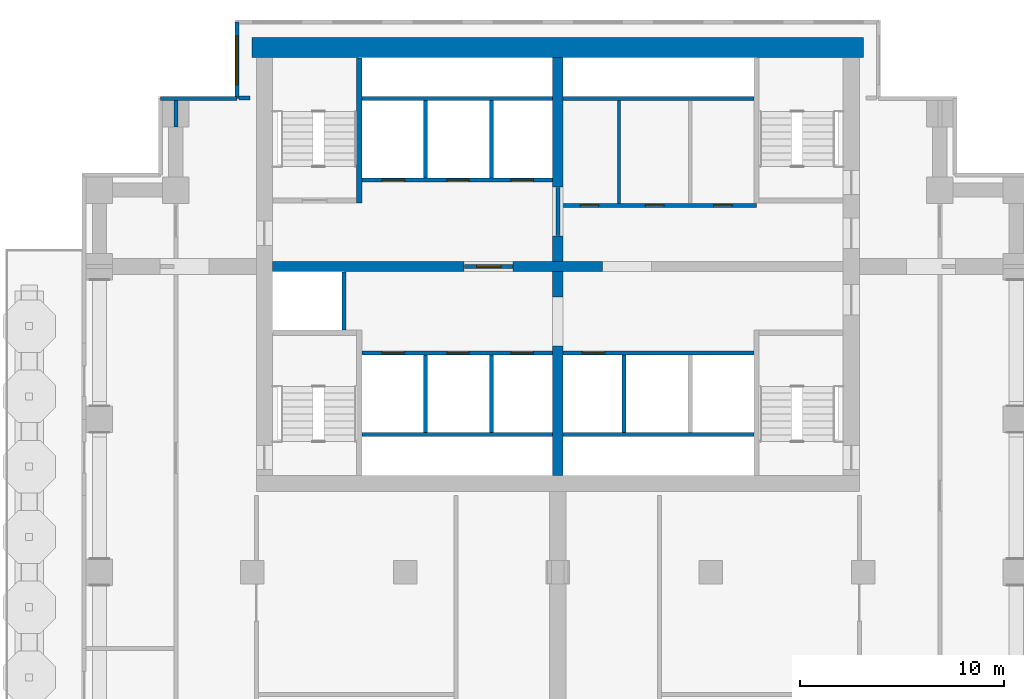
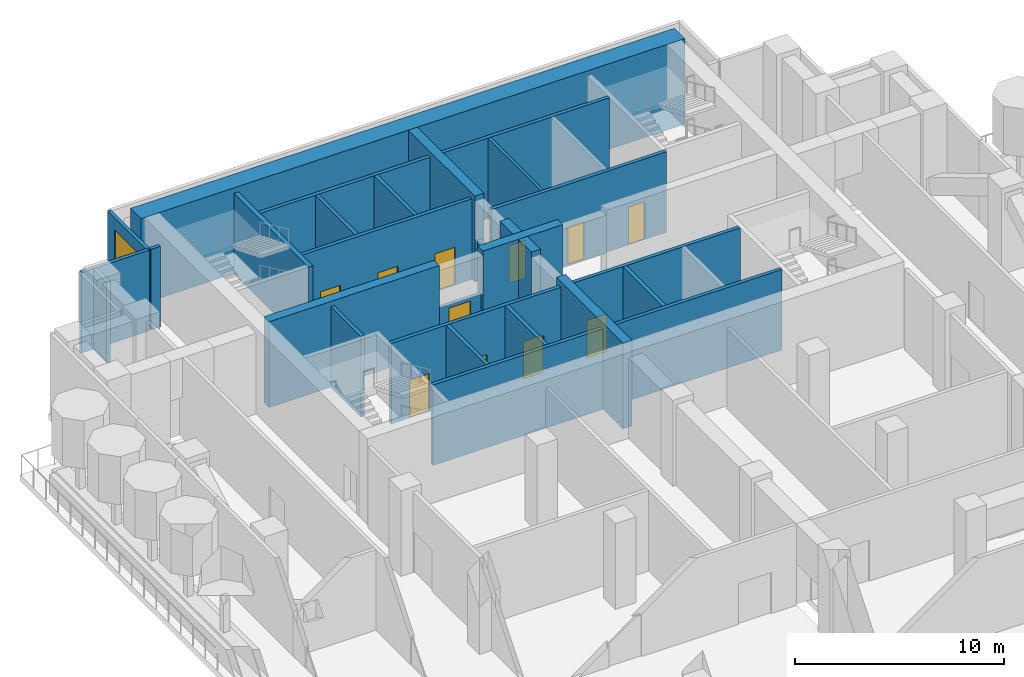
# One storey, part 4 of 9: 29 walls, 11 doors, 1 window, 12 openings.
"""IFC4 building model written with IfcOpenShell, lengths in metres."""

from ifc_helpers import new_model, si_unit, direction, frame, frame_2d, origin, place, context, subcontext, project, spatial, rectangle, extrude, material, layer, layer_set, type_object, element, fill, save


model = new_model("IFC4")

# Units and contexts
model_context = context("Model", 3, precision=1e-05, world=origin(), true_north=direction((0.0, 1.0)))
body_context = subcontext(model_context, "Body", "Model", "MODEL_VIEW")
ifc_project = project(units=[si_unit("LENGTHUNIT", "METRE"), si_unit("AREAUNIT", "SQUARE_METRE"), si_unit("VOLUMEUNIT", "CUBIC_METRE"), si_unit("PLANEANGLEUNIT", "RADIAN"), si_unit("MASSUNIT", "GRAM", prefix="KILO")], contexts=[model_context])

# Site, building, storey
site_placement = place(None, origin())
site = spatial("IfcSite", under=ifc_project, at=site_placement, CompositionType="ELEMENT")
building_placement = place(site_placement, origin())
building = spatial("IfcBuilding", under=site, at=building_placement, Name="Pilkhan Gate Tower", CompositionType="ELEMENT")
storey_placement = place(building_placement, frame((0.0, 0.0, 102.199951171875)))
storey = spatial("IfcBuildingStorey", under=building, at=storey_placement, Name="L25", CompositionType="ELEMENT", Elevation=102.199951171875)

# Walls
ifc_material_1 = material(Name="Concrete C60/75", Category="concrete")
ifc_layer_1 = layer(ifc_material_1, 1.0)
ifc_layer_set_1 = layer_set([ifc_layer_1], Name="Core wall CW1000 C60/75")
wall_type_1 = type_object("IfcWallType", Name="Core wall CW1000 C60/75", PredefinedType="SHEAR", material=ifc_layer_set_1)
wall_1_placement = place(storey_placement, frame((90.0, 93.25, 0.0), z_axis=(0.0, 0.0, 1.0), x_axis=(-1.0, 0.0, 0.0)))
element("IfcWall", 1, at=wall_1_placement, inside=storey, type_object=wall_type_1, Name="Core wall N L25", PredefinedType="SHEAR", context=body_context, shape_type="SweptSolid", body=[
    extrude(rectangle(XDim=30.0, YDim=1.0, at=frame_2d((15.0, 0.0))), origin(), (0.0, 0.0, 1.0), 5.0),
])
ifc_material_2 = material(Name="Dense blockwork", Category="masonry")
ifc_layer_2 = layer(ifc_material_2, 0.199951171875)
ifc_layer_set_2 = layer_set([ifc_layer_2], Name="Corridor wall FW200")
wall_type_2 = type_object("IfcWallType", Name="Corridor wall FW200", PredefinedType="PARTITIONING", material=ifc_layer_set_2)
wall_2_placement = place(storey_placement, frame((59.35498046875, 90.764892578125, 0.0), z_axis=(0.0, 0.0, 1.0), x_axis=(1.0, 0.0, 0.0)))
element("IfcWall", 2, at=wall_2_placement, inside=storey, type_object=wall_type_2, Name="Partition L25", PredefinedType="PARTITIONING", context=body_context, shape_type="SweptSolid", body=[
    extrude(rectangle(XDim=0.52490234375, YDim=0.199951171875, at=frame_2d((0.262451171875, 0.0))), origin(), (0.0, 0.0, 1.0), 4.699951171875),
])

# Wall, opening, door
ifc_layer_3 = layer(ifc_material_2, 0.199951171875)
ifc_layer_set_3 = layer_set([ifc_layer_3], Name="Lobby wall LW200")
wall_type_3 = type_object("IfcWallType", Name="Lobby wall LW200", PredefinedType="PARTITIONING", material=ifc_layer_set_3)
wall_3_placement = place(storey_placement, frame((70.409912109375, 82.5, 0.0), z_axis=(0.0, 0.0, 1.0), x_axis=(1.0, 0.0, 0.0)))
wall_3 = element("IfcWall", 3, at=wall_3_placement, inside=storey, type_object=wall_type_3, Name="Partition L25", PredefinedType="PARTITIONING", context=body_context, shape_type="SweptSolid", body=[
    extrude(rectangle(XDim=2.380126953125, YDim=0.199951171875, at=frame_2d((1.18994140625, 0.0))), origin(), (0.0, 0.0, 1.0), 2.400146484375),
])
opening_1_placement = place(wall_3_placement, frame((0.60009765625, 0.0, 0.0)))
opening_1 = element("IfcOpeningElement", 4, at=opening_1_placement, cuts=wall_3, Name="Opening L25-01", PredefinedType="OPENING", context=body_context, shape_type="SweptSolid", body=[
    extrude(rectangle(XDim=1.199951171875, YDim=2.199951171875, at=frame_2d((0.60009765625, 1.10009765625))), frame((0.0, 0.10986328125, 0.0), z_axis=(0.0, -1.0, 0.0), x_axis=(1.0, 0.0, 0.0)), (0.0, 0.0, 1.0), 0.219970703125),
])
ifc_material_3 = material(Name="Steel door, 120 minute fire resisting, self-closing", Category="steel")
door_type_1 = type_object("IfcDoorType", Name="Firefighting lobby door D10 1200x2200", OperationType="SINGLE_SWING_LEFT", PredefinedType="DOOR", material=ifc_material_3)
door_1_placement = place(opening_1_placement, origin())
door_1 = element("IfcDoor", 5, at=door_1_placement, inside=storey, type_object=door_type_1, Name="Firefighting lobby door", OperationType="SINGLE_SWING_LEFT", OverallHeight=2.199951171875, OverallWidth=1.199951171875, PredefinedType="DOOR", context=body_context, shape_type="SweptSolid", body=[
    extrude(rectangle(XDim=1.199951171875, YDim=2.199951171875, at=frame_2d((0.60009765625, 1.10009765625))), frame((0.0, 0.02490234375, 0.0), z_axis=(0.0, -1.0, 0.0), x_axis=(1.0, 0.0, 0.0)), (0.0, 0.0, 1.0), 0.050048828125),
])
fill(opening_1, door_1)

# Wall, openings, doors
wall_4_placement = place(storey_placement, frame((75.10009765625, 85.5, 0.0), z_axis=(0.0, 0.0, 1.0), x_axis=(1.0, 0.0, 0.0)))
wall_4 = element("IfcWall", 6, at=wall_4_placement, inside=storey, type_object=wall_type_3, Name="Partition L25", PredefinedType="PARTITIONING", context=body_context, shape_type="SweptSolid", body=[
    extrude(rectangle(XDim=9.64990234375, YDim=0.199951171875, at=frame_2d((4.824951171875, 0.0))), origin(), (0.0, 0.0, 1.0), 4.699951171875),
])
opening_2_placement = place(wall_4_placement, frame((1.0, 0.0, 0.0)))
opening_2 = element("IfcOpeningElement", 7, at=opening_2_placement, cuts=wall_4, Name="Opening L25-18", PredefinedType="OPENING", context=body_context, shape_type="SweptSolid", body=[
    extrude(rectangle(XDim=0.89990234375, YDim=2.199951171875, at=frame_2d((0.449951171875, 1.10009765625))), frame((0.0, 0.10986328125, 0.0), z_axis=(0.0, -1.0, 0.0), x_axis=(1.0, 0.0, 0.0)), (0.0, 0.0, 1.0), 0.219970703125),
])
opening_3_placement = place(wall_4_placement, frame((4.199951171875, 0.0, 0.0)))
opening_3 = element("IfcOpeningElement", 8, at=opening_3_placement, cuts=wall_4, Name="Opening L25-19", PredefinedType="OPENING", context=body_context, shape_type="SweptSolid", body=[
    extrude(rectangle(XDim=0.89990234375, YDim=2.199951171875, at=frame_2d((0.449951171875, 1.10009765625))), frame((0.0, 0.10986328125, 0.0), z_axis=(0.0, -1.0, 0.0), x_axis=(1.0, 0.0, 0.0)), (0.0, 0.0, 1.0), 0.219970703125),
])
opening_4_placement = place(wall_4_placement, frame((7.550048828125, 0.0, 0.0)))
opening_4 = element("IfcOpeningElement", 9, at=opening_4_placement, cuts=wall_4, Name="Opening L25-20", PredefinedType="OPENING", context=body_context, shape_type="SweptSolid", body=[
    extrude(rectangle(XDim=0.89990234375, YDim=2.199951171875, at=frame_2d((0.449951171875, 1.10009765625))), frame((0.0, 0.10986328125, 0.0), z_axis=(0.0, -1.0, 0.0), x_axis=(1.0, 0.0, 0.0)), (0.0, 0.0, 1.0), 0.219970703125),
])
ifc_material_4 = material(Name="Timber flush door, 60 minute fire resisting, self-closing", Category="wood")
door_type_2 = type_object("IfcDoorType", Name="Store door D05 900x2200", OperationType="SINGLE_SWING_LEFT", PredefinedType="DOOR", material=ifc_material_4)
door_2_placement = place(opening_3_placement, origin())
door_2 = element("IfcDoor", 10, at=door_2_placement, inside=storey, type_object=door_type_2, Name="Store door", OperationType="SINGLE_SWING_LEFT", OverallHeight=2.199951171875, OverallWidth=0.89990234375, PredefinedType="DOOR", context=body_context, shape_type="SweptSolid", body=[
    extrude(rectangle(XDim=0.89990234375, YDim=2.199951171875, at=frame_2d((0.449951171875, 1.10009765625))), frame((0.0, 0.02490234375, 0.0), z_axis=(0.0, -1.0, 0.0), x_axis=(1.0, 0.0, 0.0)), (0.0, 0.0, 1.0), 0.050048828125),
])
fill(opening_3, door_2)
door_3_placement = place(opening_4_placement, origin())
door_3 = element("IfcDoor", 11, at=door_3_placement, inside=storey, type_object=door_type_2, Name="Store door", OperationType="SINGLE_SWING_RIGHT", OverallHeight=2.199951171875, OverallWidth=0.89990234375, PredefinedType="DOOR", context=body_context, shape_type="SweptSolid", body=[
    extrude(rectangle(XDim=0.89990234375, YDim=2.199951171875, at=frame_2d((0.449951171875, 1.10009765625))), frame((0.0, 0.02490234375, 0.0), z_axis=(0.0, -1.0, 0.0), x_axis=(1.0, 0.0, 0.0)), (0.0, 0.0, 1.0), 0.050048828125),
])
fill(opening_4, door_3)
ifc_material_5 = material(Name="Timber flush door, 30 minute fire resisting", Category="wood")
door_type_3 = type_object("IfcDoorType", Name="Toilet door D06 900x2200", OperationType="SINGLE_SWING_LEFT", PredefinedType="DOOR", material=ifc_material_5)
door_4_placement = place(opening_2_placement, origin())
door_4 = element("IfcDoor", 12, at=door_4_placement, inside=storey, type_object=door_type_3, Name="Toilet door", OperationType="SINGLE_SWING_LEFT", OverallHeight=2.199951171875, OverallWidth=0.89990234375, PredefinedType="DOOR", context=body_context, shape_type="SweptSolid", body=[
    extrude(rectangle(XDim=0.89990234375, YDim=2.199951171875, at=frame_2d((0.449951171875, 1.10009765625))), frame((0.0, 0.02490234375, 0.0), z_axis=(0.0, -1.0, 0.0), x_axis=(1.0, 0.0, 0.0)), (0.0, 0.0, 1.0), 0.050048828125),
])
fill(opening_2, door_4)

# Walls
wall_5_placement = place(storey_placement, frame((75.260009765625, 90.75, 0.0), z_axis=(0.0, 0.0, 1.0), x_axis=(1.0, 0.0, 0.0)))
element("IfcWall", 13, at=wall_5_placement, inside=storey, type_object=wall_type_3, Name="Partition L25", PredefinedType="PARTITIONING", context=body_context, shape_type="SweptSolid", body=[
    extrude(rectangle(XDim=9.364990234375, YDim=0.199951171875, at=frame_2d((4.6826171875, 0.0))), origin(), (0.0, 0.0, 1.0), 4.699951171875),
])
wall_6_placement = place(storey_placement, frame((56.25, 89.360107421875, 0.0), z_axis=(0.0, 0.0, 1.0), x_axis=(0.0, 1.0, 0.0)))
element("IfcWall", 14, at=wall_6_placement, inside=storey, type_object=wall_type_3, Name="Partition L25", PredefinedType="PARTITIONING", context=body_context, shape_type="SweptSolid", body=[
    extrude(rectangle(XDim=1.27978515625, YDim=0.199951171875, at=frame_2d((0.639892578125, 0.0))), origin(), (0.0, 0.0, 1.0), 4.699951171875),
])
wall_7_placement = place(storey_placement, frame((75.0, 84.010009765625, 0.0), z_axis=(0.0, 0.0, 1.0), x_axis=(0.0, 1.0, 0.0)))
element("IfcWall", 15, at=wall_7_placement, inside=storey, type_object=wall_type_3, Name="Partition L25", PredefinedType="PARTITIONING", context=body_context, shape_type="SweptSolid", body=[
    extrude(rectangle(XDim=2.3798828125, YDim=0.199951171875, at=frame_2d((1.18994140625, 0.0))), origin(), (0.0, 0.0, 1.0), 2.400146484375),
])
ifc_material_6 = material(Name="Blockwork partition, plastered both sides", Category="masonry")
ifc_layer_4 = layer(ifc_material_6, 0.14990234375)
ifc_layer_set_4 = layer_set([ifc_layer_4], Name="Partition PW150")
wall_type_4 = type_object("IfcWallType", Name="Partition PW150", PredefinedType="PARTITIONING", material=ifc_layer_set_4)
wall_8_placement = place(storey_placement, frame((78.0, 85.60009765625, 0.0), z_axis=(0.0, 0.0, 1.0), x_axis=(0.0, 1.0, 0.0)))
element("IfcWall", 16, at=wall_8_placement, inside=storey, type_object=wall_type_4, Name="Partition L25", PredefinedType="PARTITIONING", context=body_context, shape_type="SweptSolid", body=[
    extrude(rectangle(XDim=5.0498046875, YDim=0.14990234375, at=frame_2d((2.52490234375, 0.0))), origin(), (0.0, 0.0, 1.0), 4.699951171875),
])

# Wall, opening, window
ifc_material_7 = material(Name="Pale anodised aluminium cladding", Category="aluminium")
ifc_layer_5 = layer(ifc_material_7, 0.199951171875)
ifc_layer_set_5 = layer_set([ifc_layer_5], Name="Plant screen wall PS200")
wall_type_5 = type_object("IfcWallType", Name="Plant screen wall PS200", PredefinedType="SOLIDWALL", material=ifc_layer_set_5)
wall_9_placement = place(storey_placement, frame((59.25, 90.75, 0.0), z_axis=(0.0, 0.0, 1.0), x_axis=(0.0, 1.0, 0.0)))
wall_9 = element("IfcWall", 17, at=wall_9_placement, inside=storey, type_object=wall_type_5, Name="Plant screen wall L25 W", PredefinedType="SOLIDWALL", context=body_context, shape_type="SweptSolid", body=[
    extrude(rectangle(XDim=3.75, YDim=0.199951171875, at=frame_2d((1.875, 0.0))), origin(), (0.0, 0.0, 1.0), 4.699951171875),
])
opening_5_placement = place(wall_9_placement, frame((0.675048828125, 0.0, 1.0)))
opening_5 = element("IfcOpeningElement", 18, at=opening_5_placement, cuts=wall_9, Name="Opening WL1", PredefinedType="OPENING", context=body_context, shape_type="SweptSolid", body=[
    extrude(rectangle(XDim=2.39990234375, YDim=3.0, at=frame_2d((1.199951171875, 1.5))), frame((0.0, 0.10986328125, 0.0), z_axis=(0.0, -1.0, 0.0), x_axis=(1.0, 0.0, 0.0)), (0.0, 0.0, 1.0), 0.219970703125),
])
ifc_material_8 = material(Name="Pale anodised aluminium storm louvre, bird mesh", Category="aluminium")
window_type = type_object("IfcWindowType", Name="Plant louvre WL1 2400x3000", PartitioningType="SINGLE_PANEL", PredefinedType="USERDEFINED", material=ifc_material_8)
window_placement = place(opening_5_placement, origin())
window = element("IfcWindow", 19, at=window_placement, inside=storey, type_object=window_type, Name="Louvre L25", ObjectType="LOUVRE", OverallHeight=3.0, OverallWidth=2.39990234375, PartitioningType="SINGLE_PANEL", PredefinedType="USERDEFINED", context=body_context, shape_type="SweptSolid", body=[
    extrude(rectangle(XDim=2.39990234375, YDim=3.0, at=frame_2d((1.199951171875, 1.5))), frame((0.0, 0.030029296875, 0.0), z_axis=(0.0, -1.0, 0.0), x_axis=(1.0, 0.0, 0.0)), (0.0, 0.0, 1.0), 0.06005859375),
])
fill(opening_5, window)

# Walls
wall_10_placement = place(storey_placement, frame((55.5, 90.75, 0.0), z_axis=(0.0, 0.0, 1.0), x_axis=(1.0, 0.0, 0.0)))
element("IfcWall", 20, at=wall_10_placement, inside=storey, type_object=wall_type_5, Name="Plant screen wall L25 N", PredefinedType="SOLIDWALL", context=body_context, shape_type="SweptSolid", body=[
    extrude(rectangle(XDim=3.75, YDim=0.199951171875, at=frame_2d((1.875, 0.0))), origin(), (0.0, 0.0, 1.0), 4.699951171875),
])
ifc_material_9 = material(Name="Reinforced blockwork shaft wall, 120 minute fire resisting", Category="masonry")
ifc_layer_6 = layer(ifc_material_9, 0.199951171875)
ifc_layer_set_6 = layer_set([ifc_layer_6], Name="Shaft wall SW200")
wall_type_6 = type_object("IfcWallType", Name="Shaft wall SW200", PredefinedType="PARTITIONING", material=ifc_layer_set_6)
for number, where, z_axis, x_axis, name in (
    (21, (65.375, 74.25, 0.0), (0.0, 0.0, 1.0), (1.0, 0.0, 0.0), "Partition L25"),
    (22, (75.260009765625, 74.25, 0.0), (0.0, 0.0, 1.0), (1.0, 0.0, 0.0), "Partition L25"),
):
    element("IfcWall", number, at=place(storey_placement, frame(where, z_axis=z_axis, x_axis=x_axis)), inside=storey, type_object=wall_type_6, Name=name, PredefinedType="PARTITIONING", context=body_context, shape_type="SweptSolid", body=[
        extrude(rectangle(XDim=9.364990234375, YDim=0.199951171875, at=frame_2d((4.6826171875, 0.0))), origin(), (0.0, 0.0, 1.0), 4.699951171875),
    ])

# Wall, openings, doors
wall_11_placement = place(storey_placement, frame((65.375, 78.25, 0.0), z_axis=(0.0, 0.0, 1.0), x_axis=(1.0, 0.0, 0.0)))
wall_11 = element("IfcWall", 23, at=wall_11_placement, inside=storey, type_object=wall_type_6, Name="Partition L25", PredefinedType="PARTITIONING", context=body_context, shape_type="SweptSolid", body=[
    extrude(rectangle(XDim=9.364990234375, YDim=0.199951171875, at=frame_2d((4.6826171875, 0.0))), origin(), (0.0, 0.0, 1.0), 4.699951171875),
])
opening_6_placement = place(wall_11_placement, frame((1.0, 0.0, 0.0)))
opening_6 = element("IfcOpeningElement", 24, at=opening_6_placement, cuts=wall_11, Name="Opening LD", PredefinedType="OPENING", context=body_context, shape_type="SweptSolid", body=[
    extrude(rectangle(XDim=1.10009765625, YDim=2.199951171875, at=frame_2d((0.550048828125, 1.10009765625))), frame((0.0, 0.10986328125, 0.0), z_axis=(0.0, -1.0, 0.0), x_axis=(1.0, 0.0, 0.0)), (0.0, 0.0, 1.0), 0.219970703125),
])
opening_7_placement = place(wall_11_placement, frame((4.175048828125, 0.0, 0.0)))
opening_7 = element("IfcOpeningElement", 25, at=opening_7_placement, cuts=wall_11, Name="Opening LD", PredefinedType="OPENING", context=body_context, shape_type="SweptSolid", body=[
    extrude(rectangle(XDim=1.10009765625, YDim=2.199951171875, at=frame_2d((0.550048828125, 1.10009765625))), frame((0.0, 0.10986328125, 0.0), z_axis=(0.0, -1.0, 0.0), x_axis=(1.0, 0.0, 0.0)), (0.0, 0.0, 1.0), 0.219970703125),
])
opening_8_placement = place(wall_11_placement, frame((7.324951171875, 0.0, 0.0)))
opening_8 = element("IfcOpeningElement", 26, at=opening_8_placement, cuts=wall_11, Name="Opening LD", PredefinedType="OPENING", context=body_context, shape_type="SweptSolid", body=[
    extrude(rectangle(XDim=1.10009765625, YDim=2.199951171875, at=frame_2d((0.550048828125, 1.10009765625))), frame((0.0, 0.10986328125, 0.0), z_axis=(0.0, -1.0, 0.0), x_axis=(1.0, 0.0, 0.0)), (0.0, 0.0, 1.0), 0.219970703125),
])
ifc_material_10 = material(Name="Stainless steel centre-opening landing door, 120 minute fire resisting", Category="steel")
door_type_4 = type_object("IfcDoorType", Name="Lift landing door LD 1100x2200", OperationType="DOUBLE_DOOR_SLIDING", PredefinedType="DOOR", material=ifc_material_10)
door_5_placement = place(opening_6_placement, origin())
door_5 = element("IfcDoor", 27, at=door_5_placement, inside=storey, type_object=door_type_4, Name="Landing door LR1", OperationType="DOUBLE_DOOR_SLIDING", OverallHeight=2.199951171875, OverallWidth=1.10009765625, PredefinedType="DOOR", context=body_context, shape_type="SweptSolid", body=[
    extrude(rectangle(XDim=1.10009765625, YDim=2.199951171875, at=frame_2d((0.550048828125, 1.10009765625))), frame((0.0, 0.02490234375, 0.0), z_axis=(0.0, -1.0, 0.0), x_axis=(1.0, 0.0, 0.0)), (0.0, 0.0, 1.0), 0.050048828125),
])
fill(opening_6, door_5)
door_6_placement = place(opening_7_placement, origin())
door_6 = element("IfcDoor", 28, at=door_6_placement, inside=storey, type_object=door_type_4, Name="Landing door LR2", OperationType="DOUBLE_DOOR_SLIDING", OverallHeight=2.199951171875, OverallWidth=1.10009765625, PredefinedType="DOOR", context=body_context, shape_type="SweptSolid", body=[
    extrude(rectangle(XDim=1.10009765625, YDim=2.199951171875, at=frame_2d((0.550048828125, 1.10009765625))), frame((0.0, 0.02490234375, 0.0), z_axis=(0.0, -1.0, 0.0), x_axis=(1.0, 0.0, 0.0)), (0.0, 0.0, 1.0), 0.050048828125),
])
fill(opening_7, door_6)
door_7_placement = place(opening_8_placement, origin())
door_7 = element("IfcDoor", 29, at=door_7_placement, inside=storey, type_object=door_type_4, Name="Landing door LR3", OperationType="DOUBLE_DOOR_SLIDING", OverallHeight=2.199951171875, OverallWidth=1.10009765625, PredefinedType="DOOR", context=body_context, shape_type="SweptSolid", body=[
    extrude(rectangle(XDim=1.10009765625, YDim=2.199951171875, at=frame_2d((0.550048828125, 1.10009765625))), frame((0.0, 0.02490234375, 0.0), z_axis=(0.0, -1.0, 0.0), x_axis=(1.0, 0.0, 0.0)), (0.0, 0.0, 1.0), 0.050048828125),
])
fill(opening_8, door_7)

# Wall, opening, door
wall_12_placement = place(storey_placement, frame((75.260009765625, 78.25, 0.0), z_axis=(0.0, 0.0, 1.0), x_axis=(1.0, 0.0, 0.0)))
wall_12 = element("IfcWall", 30, at=wall_12_placement, inside=storey, type_object=wall_type_6, Name="Partition L25", PredefinedType="PARTITIONING", context=body_context, shape_type="SweptSolid", body=[
    extrude(rectangle(XDim=9.364990234375, YDim=0.199951171875, at=frame_2d((4.6826171875, 0.0))), origin(), (0.0, 0.0, 1.0), 4.699951171875),
])
opening_9_placement = place(wall_12_placement, frame((0.949951171875, 0.0, 0.0)))
opening_9 = element("IfcOpeningElement", 31, at=opening_9_placement, cuts=wall_12, Name="Opening LD", PredefinedType="OPENING", context=body_context, shape_type="SweptSolid", body=[
    extrude(rectangle(XDim=1.10009765625, YDim=2.199951171875, at=frame_2d((0.550048828125, 1.10009765625))), frame((0.0, 0.10986328125, 0.0), z_axis=(0.0, -1.0, 0.0), x_axis=(1.0, 0.0, 0.0)), (0.0, 0.0, 1.0), 0.219970703125),
])
door_8_placement = place(opening_9_placement, origin())
door_8 = element("IfcDoor", 32, at=door_8_placement, inside=storey, type_object=door_type_4, Name="Landing door LR4", OperationType="DOUBLE_DOOR_SLIDING", OverallHeight=2.199951171875, OverallWidth=1.10009765625, PredefinedType="DOOR", context=body_context, shape_type="SweptSolid", body=[
    extrude(rectangle(XDim=1.10009765625, YDim=2.199951171875, at=frame_2d((0.550048828125, 1.10009765625))), frame((0.0, 0.02490234375, 0.0), z_axis=(0.0, -1.0, 0.0), x_axis=(1.0, 0.0, 0.0)), (0.0, 0.0, 1.0), 0.050048828125),
])
fill(opening_9, door_8)

# Wall, openings, doors
wall_13_placement = place(storey_placement, frame((65.375, 86.75, 0.0), z_axis=(0.0, 0.0, 1.0), x_axis=(1.0, 0.0, 0.0)))
wall_13 = element("IfcWall", 33, at=wall_13_placement, inside=storey, type_object=wall_type_6, Name="Partition L25", PredefinedType="PARTITIONING", context=body_context, shape_type="SweptSolid", body=[
    extrude(rectangle(XDim=9.364990234375, YDim=0.199951171875, at=frame_2d((4.6826171875, 0.0))), origin(), (0.0, 0.0, 1.0), 4.699951171875),
])
opening_10_placement = place(wall_13_placement, frame((1.0, 0.0, 0.0)))
opening_10 = element("IfcOpeningElement", 34, at=opening_10_placement, cuts=wall_13, Name="Opening LD", PredefinedType="OPENING", context=body_context, shape_type="SweptSolid", body=[
    extrude(rectangle(XDim=1.10009765625, YDim=2.199951171875, at=frame_2d((0.550048828125, 1.10009765625))), frame((0.0, 0.10986328125, 0.0), z_axis=(0.0, -1.0, 0.0), x_axis=(1.0, 0.0, 0.0)), (0.0, 0.0, 1.0), 0.219970703125),
])
opening_11_placement = place(wall_13_placement, frame((4.175048828125, 0.0, 0.0)))
opening_11 = element("IfcOpeningElement", 35, at=opening_11_placement, cuts=wall_13, Name="Opening LD", PredefinedType="OPENING", context=body_context, shape_type="SweptSolid", body=[
    extrude(rectangle(XDim=1.10009765625, YDim=2.199951171875, at=frame_2d((0.550048828125, 1.10009765625))), frame((0.0, 0.10986328125, 0.0), z_axis=(0.0, -1.0, 0.0), x_axis=(1.0, 0.0, 0.0)), (0.0, 0.0, 1.0), 0.219970703125),
])
opening_12_placement = place(wall_13_placement, frame((7.324951171875, 0.0, 0.0)))
opening_12 = element("IfcOpeningElement", 36, at=opening_12_placement, cuts=wall_13, Name="Opening LD", PredefinedType="OPENING", context=body_context, shape_type="SweptSolid", body=[
    extrude(rectangle(XDim=1.10009765625, YDim=2.199951171875, at=frame_2d((0.550048828125, 1.10009765625))), frame((0.0, 0.10986328125, 0.0), z_axis=(0.0, -1.0, 0.0), x_axis=(1.0, 0.0, 0.0)), (0.0, 0.0, 1.0), 0.219970703125),
])
door_9_placement = place(opening_10_placement, origin())
door_9 = element("IfcDoor", 37, at=door_9_placement, inside=storey, type_object=door_type_4, Name="Landing door FF1", OperationType="DOUBLE_DOOR_SLIDING", OverallHeight=2.199951171875, OverallWidth=1.10009765625, PredefinedType="DOOR", context=body_context, shape_type="SweptSolid", body=[
    extrude(rectangle(XDim=1.10009765625, YDim=2.199951171875, at=frame_2d((0.550048828125, 1.10009765625))), frame((0.0, 0.02490234375, 0.0), z_axis=(0.0, -1.0, 0.0), x_axis=(1.0, 0.0, 0.0)), (0.0, 0.0, 1.0), 0.050048828125),
])
fill(opening_10, door_9)
door_10_placement = place(opening_11_placement, origin())
door_10 = element("IfcDoor", 38, at=door_10_placement, inside=storey, type_object=door_type_4, Name="Landing door FF2", OperationType="DOUBLE_DOOR_SLIDING", OverallHeight=2.199951171875, OverallWidth=1.10009765625, PredefinedType="DOOR", context=body_context, shape_type="SweptSolid", body=[
    extrude(rectangle(XDim=1.10009765625, YDim=2.199951171875, at=frame_2d((0.550048828125, 1.10009765625))), frame((0.0, 0.02490234375, 0.0), z_axis=(0.0, -1.0, 0.0), x_axis=(1.0, 0.0, 0.0)), (0.0, 0.0, 1.0), 0.050048828125),
])
fill(opening_11, door_10)
door_11_placement = place(opening_12_placement, origin())
door_11 = element("IfcDoor", 39, at=door_11_placement, inside=storey, type_object=door_type_4, Name="Landing door SV1", OperationType="DOUBLE_DOOR_SLIDING", OverallHeight=2.199951171875, OverallWidth=1.10009765625, PredefinedType="DOOR", context=body_context, shape_type="SweptSolid", body=[
    extrude(rectangle(XDim=1.10009765625, YDim=2.199951171875, at=frame_2d((0.550048828125, 1.10009765625))), frame((0.0, 0.02490234375, 0.0), z_axis=(0.0, -1.0, 0.0), x_axis=(1.0, 0.0, 0.0)), (0.0, 0.0, 1.0), 0.050048828125),
])
fill(opening_12, door_11)

# Walls
wall_14_placement = place(storey_placement, frame((65.375, 90.75, 0.0), z_axis=(0.0, 0.0, 1.0), x_axis=(1.0, 0.0, 0.0)))
element("IfcWall", 40, at=wall_14_placement, inside=storey, type_object=wall_type_6, Name="Partition L25", PredefinedType="PARTITIONING", context=body_context, shape_type="SweptSolid", body=[
    extrude(rectangle(XDim=9.364990234375, YDim=0.199951171875, at=frame_2d((4.6826171875, 0.0))), origin(), (0.0, 0.0, 1.0), 4.699951171875),
])
wall_15_placement = place(storey_placement, frame((64.5, 79.375, 0.0), z_axis=(0.0, 0.0, 1.0), x_axis=(0.0, 1.0, 0.0)))
element("IfcWall", 41, at=wall_15_placement, inside=storey, type_object=wall_type_6, Name="Partition L25", PredefinedType="PARTITIONING", context=body_context, shape_type="SweptSolid", body=[
    extrude(rectangle(XDim=2.864990234375, YDim=0.199951171875, at=frame_2d((1.4326171875, 0.0))), origin(), (0.0, 0.0, 1.0), 4.699951171875),
])
for number, where, z_axis, x_axis, name in (
    (42, (68.5, 74.35009765625, 0.0), (0.0, 0.0, 1.0), (0.0, 1.0, 0.0), "Partition L25"),
    (43, (68.5, 86.85009765625, 0.0), (0.0, 0.0, 1.0), (0.0, 1.0, 0.0), "Partition L25"),
    (44, (71.75, 74.35009765625, 0.0), (0.0, 0.0, 1.0), (0.0, 1.0, 0.0), "Partition L25"),
    (45, (71.75, 86.85009765625, 0.0), (0.0, 0.0, 1.0), (0.0, 1.0, 0.0), "Partition L25"),
    (46, (78.25, 74.35009765625, 0.0), (0.0, 0.0, 1.0), (0.0, 1.0, 0.0), "Partition L25"),
):
    element("IfcWall", number, at=place(storey_placement, frame(where, z_axis=z_axis, x_axis=x_axis)), inside=storey, type_object=wall_type_6, Name=name, PredefinedType="PARTITIONING", context=body_context, shape_type="SweptSolid", body=[
        extrude(rectangle(XDim=3.7998046875, YDim=0.199951171875, at=frame_2d((1.89990234375, 0.0))), origin(), (0.0, 0.0, 1.0), 4.699951171875),
    ])
ifc_layer_7 = layer(ifc_material_1, 0.5)
ifc_layer_set_7 = layer_set([ifc_layer_7], Name="Spine wall SW500 C60/75")
wall_type_7 = type_object("IfcWallType", Name="Spine wall SW500 C60/75", PredefinedType="SHEAR", material=ifc_layer_set_7)
wall_16_placement = place(storey_placement, frame((61.0, 82.5, 0.0), z_axis=(0.0, 0.0, 1.0), x_axis=(1.0, 0.0, 0.0)))
element("IfcWall", 47, at=wall_16_placement, inside=storey, type_object=wall_type_7, Name="Spine wall SP-EW1 L25", PredefinedType="SHEAR", context=body_context, shape_type="SweptSolid", body=[
    extrude(rectangle(XDim=9.39990234375, YDim=0.5, at=frame_2d((4.699951171875, 0.0))), origin(), (0.0, 0.0, 1.0), 5.0),
])
wall_17_placement = place(storey_placement, frame((72.800048828125, 82.5, 0.0), z_axis=(0.0, 0.0, 1.0), x_axis=(1.0, 0.0, 0.0)))
element("IfcWall", 48, at=wall_17_placement, inside=storey, type_object=wall_type_7, Name="Spine wall SP-EW2 L25", PredefinedType="SHEAR", context=body_context, shape_type="SweptSolid", body=[
    extrude(rectangle(XDim=4.39990234375, YDim=0.5, at=frame_2d((2.199951171875, 0.0))), origin(), (0.0, 0.0, 1.0), 5.0),
])
wall_18_placement = place(storey_placement, frame((75.0, 72.25, 0.0), z_axis=(0.0, 0.0, 1.0), x_axis=(0.0, 1.0, 0.0)))
element("IfcWall", 49, at=wall_18_placement, inside=storey, type_object=wall_type_7, Name="Spine wall SP-NS-S1 L25", PredefinedType="SHEAR", context=body_context, shape_type="SweptSolid", body=[
    extrude(rectangle(XDim=6.35009765625, YDim=0.5, at=frame_2d((3.175048828125, 0.0))), origin(), (0.0, 0.0, 1.0), 5.0),
])
for number, where, z_axis, x_axis, name in (
    (50, (75.0, 81.0, 0.0), (0.0, 0.0, 1.0), (0.0, 1.0, 0.0), "Spine wall SP-NS-S2 L25"),
    (51, (75.0, 82.75, 0.0), (0.0, 0.0, 1.0), (0.0, 1.0, 0.0), "Spine wall SP-NS-N1 L25"),
):
    element("IfcWall", number, at=place(storey_placement, frame(where, z_axis=z_axis, x_axis=x_axis)), inside=storey, type_object=wall_type_7, Name=name, PredefinedType="SHEAR", context=body_context, shape_type="SweptSolid", body=[
        extrude(rectangle(XDim=1.25, YDim=0.5, at=frame_2d((0.625, 0.0))), origin(), (0.0, 0.0, 1.0), 5.0),
    ])
wall_19_placement = place(storey_placement, frame((75.0, 86.39990234375, 0.0), z_axis=(0.0, 0.0, 1.0), x_axis=(0.0, 1.0, 0.0)))
element("IfcWall", 52, at=wall_19_placement, inside=storey, type_object=wall_type_7, Name="Spine wall SP-NS-N2 L25", PredefinedType="SHEAR", context=body_context, shape_type="SweptSolid", body=[
    extrude(rectangle(XDim=6.35009765625, YDim=0.5, at=frame_2d((3.175048828125, 0.0))), origin(), (0.0, 0.0, 1.0), 5.0),
])
ifc_material_11 = material(Name="Reinforced blockwork, 120 minute fire resisting", Category="masonry")
ifc_layer_8 = layer(ifc_material_11, 0.25)
ifc_layer_set_8 = layer_set([ifc_layer_8], Name="Stair enclosure wall SE250")
wall_type_8 = type_object("IfcWallType", Name="Stair enclosure wall SE250", PredefinedType="PARTITIONING", material=ifc_layer_set_8)
wall_20_placement = place(storey_placement, frame((65.25, 85.625, 0.0), z_axis=(0.0, 0.0, 1.0), x_axis=(0.0, 1.0, 0.0)))
element("IfcWall", 53, at=wall_20_placement, inside=storey, type_object=wall_type_8, Name="Partition L25", PredefinedType="PARTITIONING", context=body_context, shape_type="SweptSolid", body=[
    extrude(rectangle(XDim=7.114990234375, YDim=0.25, at=frame_2d((3.5576171875, 0.0))), origin(), (0.0, 0.0, 1.0), 4.699951171875),
])

save(model, "model.ifc")
